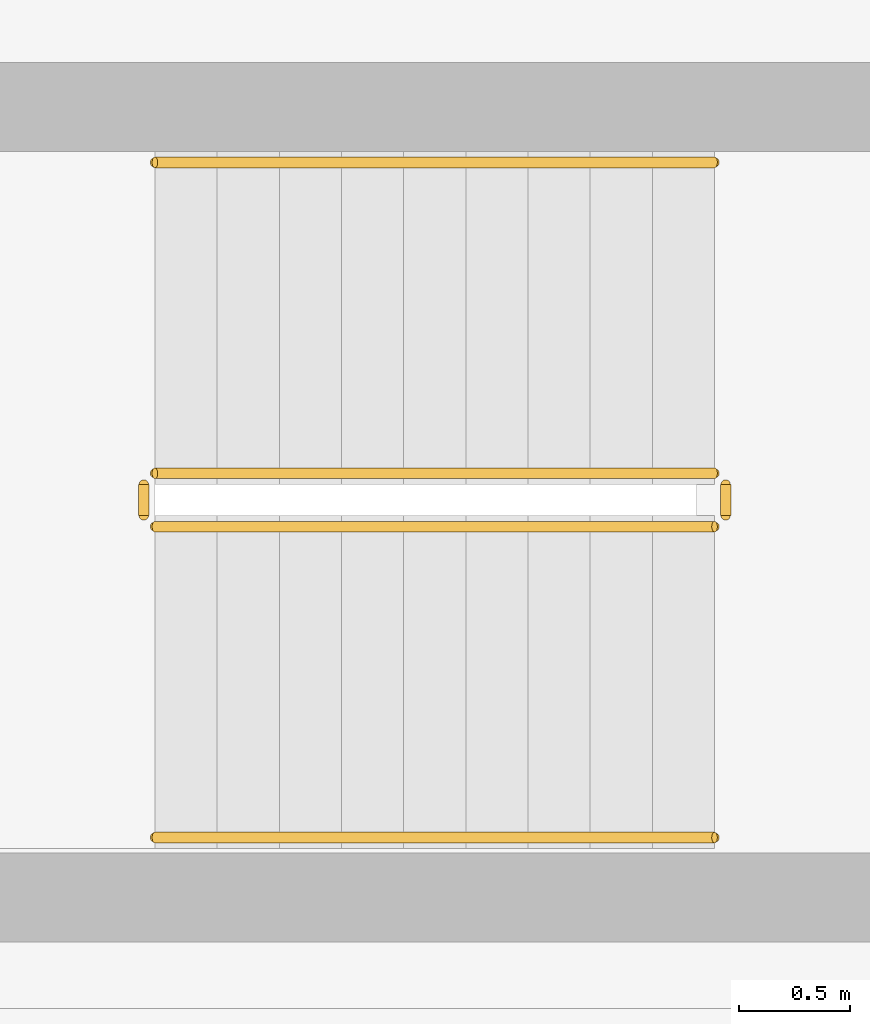
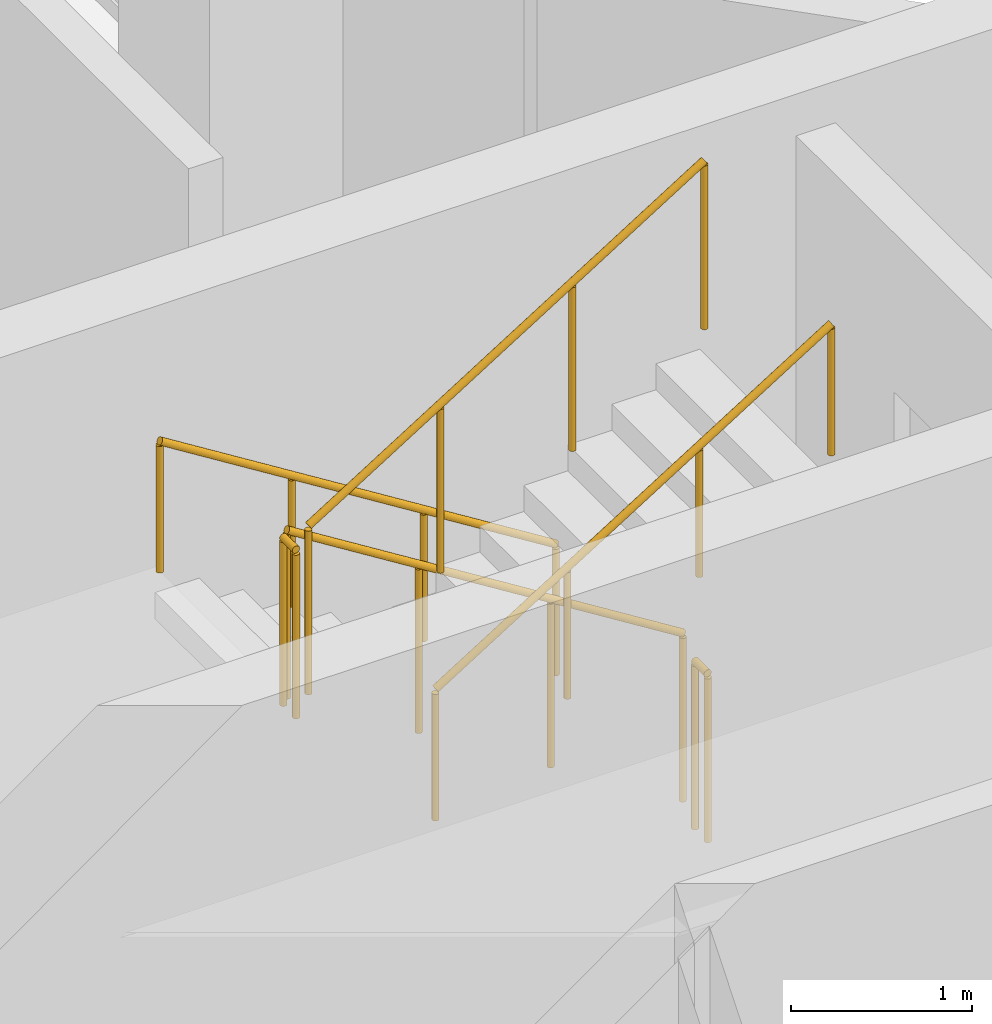
# One storey, part 22 of 26: 6 railings.
"""IFC4 building model written with IfcOpenShell, lengths in metres."""

from ifc_helpers import new_model, si_unit, derived_unit, direction, frame, origin, origin_2d, place, context, subcontext, project, spatial, circle, extrude, material, type_object, element, save


model = new_model("IFC4")

# Units and contexts
model_context = context("Model", 3, precision=1e-05, world=origin(), true_north=direction((0.0, 1.0)))
body_context = subcontext(model_context, "Body", "Model", "MODEL_VIEW")
ifc_project = project(units=[si_unit("LENGTHUNIT", "METRE"), si_unit("AREAUNIT", "SQUARE_METRE"), si_unit("VOLUMEUNIT", "CUBIC_METRE"), si_unit("PLANEANGLEUNIT", "RADIAN"), si_unit("MASSUNIT", "GRAM", prefix="KILO"), derived_unit("THERMALTRANSMITTANCEUNIT", [(si_unit("POWERUNIT", "WATT"), 1), (si_unit("LENGTHUNIT", "METRE"), -2), (si_unit("THERMODYNAMICTEMPERATUREUNIT", "KELVIN"), -1)])], contexts=[model_context])

# Site, building, storey
site_placement = place(None, origin())
site = spatial("IfcSite", under=ifc_project, at=site_placement, CompositionType="ELEMENT")
building_placement = place(site_placement, origin())
building = spatial("IfcBuilding", under=site, at=building_placement, Name="Kivonza Crest Hotel", CompositionType="ELEMENT")
storey_placement = place(building_placement, frame((0.0, 0.0, 127.5)))
storey = spatial("IfcBuildingStorey", under=building, at=storey_placement, Name="L34", CompositionType="ELEMENT", Elevation=127.5)

# Railings
ifc_material_1 = material(Name="Brushed stainless steel handrail", Category="steel")
railing_type_1 = type_object("IfcRailingType", Name="RL-HAND-900", PredefinedType="HANDRAIL", material=ifc_material_1)
railing_1_placement = place(storey_placement, frame((12.239990234375, 16.949951171875, 0.175048828125)))
element("IfcRailing", 1, at=railing_1_placement, inside=storey, type_object=railing_type_1, Name="L34 ST-T1-S stair handrail 1", PredefinedType="HANDRAIL", context=body_context, shape_type="SweptSolid", body=[
    extrude(circle(Radius=0.02392578125, at=origin_2d()), frame((0.0, 0.0, 0.8759765625), z_axis=(-0.848007534815, 0.0, 0.529984170421), x_axis=(0.0, -1.0, 0.0)), (0.0, 0.0, 1.0), 2.9716796875),
    extrude(circle(Radius=0.02099609375, at=origin_2d()), origin(), (0.0, 0.0, 1.0), 0.851806640625),
    extrude(circle(Radius=0.02099609375, at=origin_2d()), frame((-0.840087890625, 0.0, 0.52490234375)), (0.0, 0.0, 1.0), 0.851806640625),
    extrude(circle(Radius=0.02099609375, at=origin_2d()), frame((-1.679931640625, 0.0, 1.050048828125)), (0.0, 0.0, 1.0), 0.851806640625),
    extrude(circle(Radius=0.02099609375, at=origin_2d()), frame((-2.52001953125, 0.0, 1.574951171875)), (0.0, 0.0, 1.0), 0.851806640625),
])
railing_2_placement = place(storey_placement, frame((9.719970703125, 13.909912109375, 1.925048828125)))
element("IfcRailing", 2, at=railing_2_placement, inside=storey, type_object=railing_type_1, Name="L34 ST-T1-S stair handrail 2", PredefinedType="HANDRAIL", context=body_context, shape_type="SweptSolid", body=[
    extrude(circle(Radius=0.02392578125, at=origin_2d()), frame((0.0, 0.0, 0.8759765625), z_axis=(0.848007534815, 0.0, 0.529984170421), x_axis=(0.0, 1.0, 0.0)), (0.0, 0.0, 1.0), 2.9716796875),
    extrude(circle(Radius=0.02099609375, at=origin_2d()), origin(), (0.0, 0.0, 1.0), 0.851806640625),
    extrude(circle(Radius=0.02099609375, at=origin_2d()), frame((0.840087890625, 0.0, 0.52490234375)), (0.0, 0.0, 1.0), 0.851806640625),
    extrude(circle(Radius=0.02099609375, at=origin_2d()), frame((1.679931640625, 0.0, 1.050048828125)), (0.0, 0.0, 1.0), 0.851806640625),
    extrude(circle(Radius=0.02099609375, at=origin_2d()), frame((2.52001953125, 0.0, 1.574951171875)), (0.0, 0.0, 1.0), 0.851806640625),
])
ifc_material_2 = material(Name="Painted steel balustrade", Category="steel")
railing_type_2 = type_object("IfcRailingType", Name="RL-STAIR-1150", PredefinedType="BALUSTRADE", material=ifc_material_2)
railing_3_placement = place(storey_placement, frame((12.239990234375, 15.550048828125, 0.175048828125)))
element("IfcRailing", 3, at=railing_3_placement, inside=storey, type_object=railing_type_2, Name="L34 ST-T1-S stair guard 1", PredefinedType="BALUSTRADE", context=body_context, shape_type="SweptSolid", body=[
    extrude(circle(Radius=0.02392578125, at=origin_2d()), frame((0.0, 0.0, 1.1259765625), z_axis=(-0.848007534815, 0.0, 0.529984170421), x_axis=(0.0, -1.0, 0.0)), (0.0, 0.0, 1.0), 2.9716796875),
    extrude(circle(Radius=0.02099609375, at=origin_2d()), origin(), (0.0, 0.0, 1.0), 1.101806640625),
    extrude(circle(Radius=0.02099609375, at=origin_2d()), frame((-0.840087890625, 0.0, 0.52490234375)), (0.0, 0.0, 1.0), 1.101806640625),
    extrude(circle(Radius=0.02099609375, at=origin_2d()), frame((-1.679931640625, 0.0, 1.050048828125)), (0.0, 0.0, 1.0), 1.101806640625),
    extrude(circle(Radius=0.02099609375, at=origin_2d()), frame((-2.52001953125, 0.0, 1.574951171875)), (0.0, 0.0, 1.0), 1.101806640625),
])
railing_4_placement = place(storey_placement, frame((9.669921875, 15.5, 1.75)))
element("IfcRailing", 4, at=railing_4_placement, inside=storey, type_object=railing_type_2, Name="L34 ST-T1-S stair guard 2", PredefinedType="BALUSTRADE", context=body_context, shape_type="SweptSolid", body=[
    extrude(circle(Radius=0.02392578125, at=origin_2d()), frame((0.0, 0.0, 1.1259765625), z_axis=(0.0, -1.0, 0.0), x_axis=(1.0, 0.0, 0.0)), (0.0, 0.0, 1.0), 0.139892578125),
    extrude(circle(Radius=0.02099609375, at=origin_2d()), origin(), (0.0, 0.0, 1.0), 1.101806640625),
    extrude(circle(Radius=0.02099609375, at=origin_2d()), frame((0.0, -0.139892578125, 0.0)), (0.0, 0.0, 1.0), 1.101806640625),
])
railing_5_placement = place(storey_placement, frame((9.719970703125, 15.31005859375, 1.925048828125)))
element("IfcRailing", 5, at=railing_5_placement, inside=storey, type_object=railing_type_2, Name="L34 ST-T1-S stair guard 3", PredefinedType="BALUSTRADE", context=body_context, shape_type="SweptSolid", body=[
    extrude(circle(Radius=0.02392578125, at=origin_2d()), frame((0.0, 0.0, 1.1259765625), z_axis=(0.848007534815, 0.0, 0.529984170421), x_axis=(0.0, 1.0, 0.0)), (0.0, 0.0, 1.0), 2.9716796875),
    extrude(circle(Radius=0.02099609375, at=origin_2d()), origin(), (0.0, 0.0, 1.0), 1.101806640625),
    extrude(circle(Radius=0.02099609375, at=origin_2d()), frame((0.840087890625, 0.0, 0.52490234375)), (0.0, 0.0, 1.0), 1.101806640625),
    extrude(circle(Radius=0.02099609375, at=origin_2d()), frame((1.679931640625, 0.0, 1.050048828125)), (0.0, 0.0, 1.0), 1.101806640625),
    extrude(circle(Radius=0.02099609375, at=origin_2d()), frame((2.52001953125, 0.0, 1.574951171875)), (0.0, 0.0, 1.0), 1.101806640625),
])
railing_6_placement = place(storey_placement, frame((12.2900390625, 15.5, 0.0)))
element("IfcRailing", 6, at=railing_6_placement, inside=storey, type_object=railing_type_2, Name="L34 ST-T1-S stair guard 4", PredefinedType="BALUSTRADE", context=body_context, shape_type="SweptSolid", body=[
    extrude(circle(Radius=0.02392578125, at=origin_2d()), frame((0.0, 0.0, 1.1259765625), z_axis=(0.0, -1.0, 0.0), x_axis=(1.0, 0.0, 0.0)), (0.0, 0.0, 1.0), 0.139892578125),
    extrude(circle(Radius=0.02099609375, at=origin_2d()), origin(), (0.0, 0.0, 1.0), 1.101806640625),
    extrude(circle(Radius=0.02099609375, at=origin_2d()), frame((0.0, -0.139892578125, 0.0)), (0.0, 0.0, 1.0), 1.101806640625),
])

save(model, "model.ifc")
